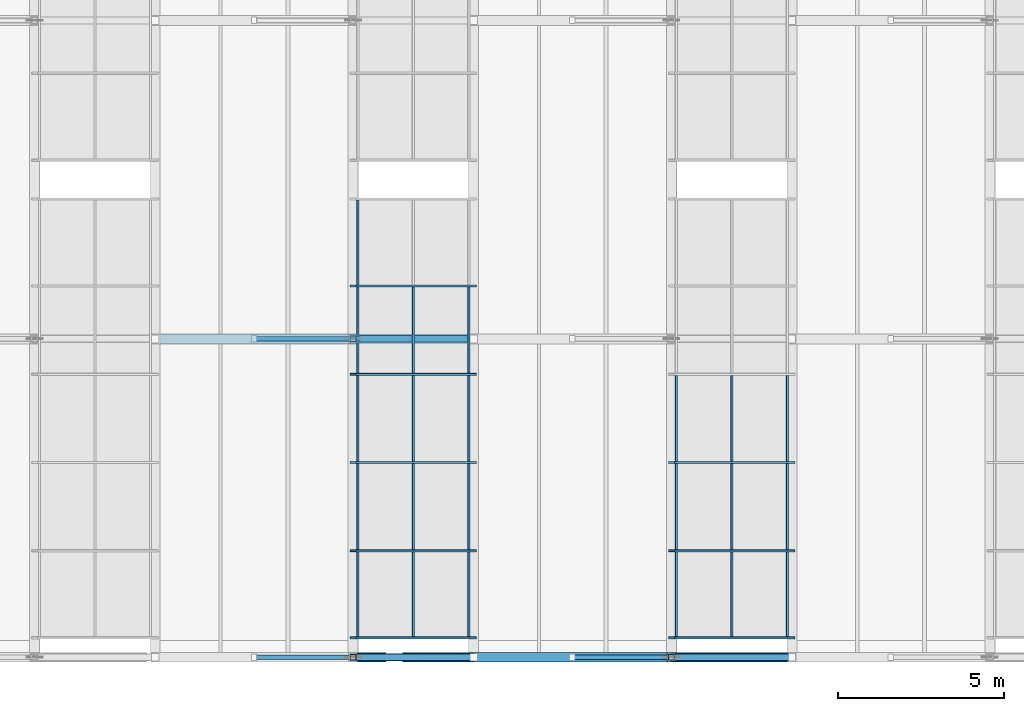
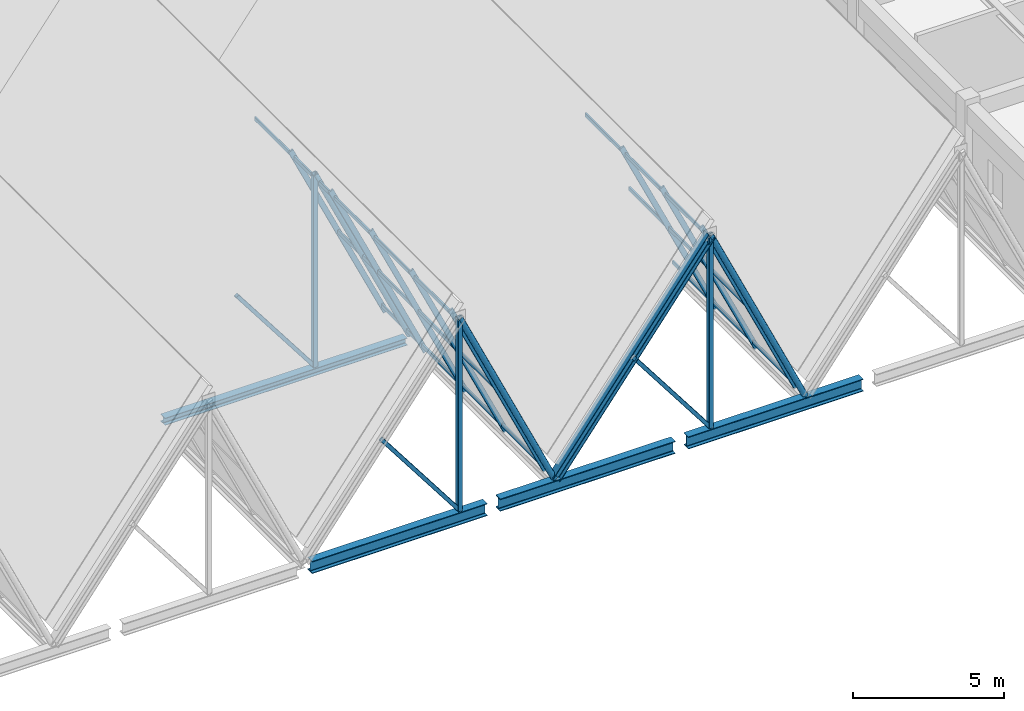
# One storey, part 16 of 99: 41 members, 3 beams, 2 elements without a shape of their own.
"""IFC4 building model written with IfcOpenShell, lengths in metres."""

from ifc_helpers import new_model, si_unit, direction, frame, origin, origin_2d, place, context, subcontext, project, spatial, hollow_rectangle, hollow_circle, i_section, extrude, material, material_profile, profile_set, type_object, element, aggregate, save


model = new_model("IFC4")

# Units and contexts
model_context = context("Model", 3, precision=1e-05, world=origin(), true_north=direction((0.0, 1.0)))
body_context = subcontext(model_context, "Body", "Model", "MODEL_VIEW")
ifc_project = project(units=[si_unit("LENGTHUNIT", "METRE"), si_unit("AREAUNIT", "SQUARE_METRE"), si_unit("VOLUMEUNIT", "CUBIC_METRE"), si_unit("PLANEANGLEUNIT", "RADIAN"), si_unit("MASSUNIT", "GRAM", prefix="KILO")], contexts=[model_context])

# Site, building, storey
site_placement = place(None, origin())
site = spatial("IfcSite", under=ifc_project, at=site_placement, CompositionType="ELEMENT")
building_placement = place(site_placement, origin())
building = spatial("IfcBuilding", under=site, at=building_placement, Name="Bramveld Media Centre", CompositionType="ELEMENT")
storey_placement = place(building_placement, frame((0.0, 0.0, 13.800048828125)))
storey = spatial("IfcBuildingStorey", under=building, at=storey_placement, Name="L03", CompositionType="ELEMENT", Elevation=13.800048828125)

# Curtain wall, members
ifc_material_1 = material(Name="Thermally broken anodized bronze aluminium unitized curtain wall with solar-control triple glazing", Category="aluminium")
curtain_wall_type = type_object("IfcCurtainWallType", Name="CW-SAW-13300x8606", PredefinedType="NOTDEFINED", material=ifc_material_1)
curtain_wall_1_placement = place(storey_placement, origin())
curtain_wall_1 = element("IfcCurtainWall", 1, at=curtain_wall_1_placement, inside=storey, type_object=curtain_wall_type, Name="V2 sawtooth north-light clerestory B4-S1", PredefinedType="NOTDEFINED")
ifc_material_2 = material(Name="Thermally broken anodized bronze aluminium EN AW-6063 T6 curtain-wall framing", Category="aluminium")
ifc_material_profile_1 = material_profile(ifc_material_2, hollow_rectangle(XDim=0.070068359375, YDim=0.199951171875, WallThickness=0.00439453125, InnerFilletRadius=0.00439453125, OuterFilletRadius=0.009033203125, at=origin_2d()), Name="AL-MULL 70x200")
ifc_profile_set_1 = profile_set([ifc_material_profile_1], Name="Thermally broken anodized bronze aluminium EN AW-6063 T6 curtain-wall framing")
member_type_1 = type_object("IfcMemberType", Name="CW-MULL-SLP", PredefinedType="MULLION", material=ifc_profile_set_1)
member_1_placement = place(storey_placement, frame((38.39990234375, 0.5849609375, -0.02001953125), z_axis=(-0.423956992265, 0.0, 0.90568232218), x_axis=(0.0, -1.0, 0.0)))
member_1 = element("IfcMember", 2, at=member_1_placement, type_object=member_type_1, Name="CW-SA-13386 sloped mullion 1", PredefinedType="MULLION", context=body_context, shape_type="SweptSolid", body=[
    extrude(hollow_rectangle(XDim=0.070068359375, YDim=0.199951171875, WallThickness=0.00439453125, InnerFilletRadius=0.00439453125, OuterFilletRadius=0.009033203125, at=origin_2d()), origin(), (0.0, 0.0, 1.0), 8.5791015625),
])
member_2_placement = place(storey_placement, frame((38.39990234375, 3.2099609375, -0.02001953125), z_axis=(-0.423956992265, 0.0, 0.90568232218), x_axis=(0.0, -1.0, 0.0)))
member_2 = element("IfcMember", 3, at=member_2_placement, type_object=member_type_1, Name="CW-SA-13386 sloped mullion 2", PredefinedType="MULLION", context=body_context, shape_type="SweptSolid", body=[
    extrude(hollow_rectangle(XDim=0.070068359375, YDim=0.199951171875, WallThickness=0.00439453125, InnerFilletRadius=0.00439453125, OuterFilletRadius=0.009033203125, at=origin_2d()), origin(), (0.0, 0.0, 1.0), 8.5791015625),
])
member_3_placement = place(storey_placement, frame((38.39990234375, 5.8701171875, -0.02001953125), z_axis=(-0.423956992265, 0.0, 0.90568232218), x_axis=(0.0, -1.0, 0.0)))
member_3 = element("IfcMember", 4, at=member_3_placement, type_object=member_type_1, Name="CW-SA-13386 sloped mullion 3", PredefinedType="MULLION", context=body_context, shape_type="SweptSolid", body=[
    extrude(hollow_rectangle(XDim=0.070068359375, YDim=0.199951171875, WallThickness=0.00439453125, InnerFilletRadius=0.00439453125, OuterFilletRadius=0.009033203125, at=origin_2d()), origin(), (0.0, 0.0, 1.0), 8.5791015625),
])
member_4_placement = place(storey_placement, frame((38.39990234375, 8.530029296875, -0.02001953125), z_axis=(-0.423956992265, 0.0, 0.90568232218), x_axis=(0.0, -1.0, 0.0)))
member_4 = element("IfcMember", 5, at=member_4_placement, type_object=member_type_1, Name="CW-SA-13386 sloped mullion 4", PredefinedType="MULLION", context=body_context, shape_type="SweptSolid", body=[
    extrude(hollow_rectangle(XDim=0.070068359375, YDim=0.199951171875, WallThickness=0.00439453125, InnerFilletRadius=0.00439453125, OuterFilletRadius=0.009033203125, at=origin_2d()), origin(), (0.0, 0.0, 1.0), 8.5791015625),
])
member_5_placement = place(storey_placement, frame((38.39990234375, 11.18994140625, -0.02001953125), z_axis=(-0.423956992265, 0.0, 0.90568232218), x_axis=(0.0, -1.0, 0.0)))
member_5 = element("IfcMember", 6, at=member_5_placement, type_object=member_type_1, Name="CW-SA-13386 sloped mullion 5", PredefinedType="MULLION", context=body_context, shape_type="SweptSolid", body=[
    extrude(hollow_rectangle(XDim=0.070068359375, YDim=0.199951171875, WallThickness=0.00439453125, InnerFilletRadius=0.00439453125, OuterFilletRadius=0.009033203125, at=origin_2d()), origin(), (0.0, 0.0, 1.0), 8.5791015625),
])

curtain_wall_2_placement = place(storey_placement, origin())
curtain_wall_2 = element("IfcCurtainWall", 7, at=curtain_wall_2_placement, inside=storey, type_object=curtain_wall_type, Name="V2 sawtooth north-light clerestory B5-S1", PredefinedType="NOTDEFINED")
member_6_placement = place(storey_placement, frame((48.0, 0.5849609375, -0.02001953125), z_axis=(-0.423956992265, 0.0, 0.90568232218), x_axis=(0.0, -1.0, 0.0)))
member_6 = element("IfcMember", 8, at=member_6_placement, type_object=member_type_1, Name="CW-SA-13386 sloped mullion 1", PredefinedType="MULLION", context=body_context, shape_type="SweptSolid", body=[
    extrude(hollow_rectangle(XDim=0.070068359375, YDim=0.199951171875, WallThickness=0.00439453125, InnerFilletRadius=0.00439453125, OuterFilletRadius=0.009033203125, at=origin_2d()), origin(), (0.0, 0.0, 1.0), 8.5791015625),
])
member_7_placement = place(storey_placement, frame((48.0, 3.2099609375, -0.02001953125), z_axis=(-0.423956992265, 0.0, 0.90568232218), x_axis=(0.0, -1.0, 0.0)))
member_7 = element("IfcMember", 9, at=member_7_placement, type_object=member_type_1, Name="CW-SA-13386 sloped mullion 2", PredefinedType="MULLION", context=body_context, shape_type="SweptSolid", body=[
    extrude(hollow_rectangle(XDim=0.070068359375, YDim=0.199951171875, WallThickness=0.00439453125, InnerFilletRadius=0.00439453125, OuterFilletRadius=0.009033203125, at=origin_2d()), origin(), (0.0, 0.0, 1.0), 8.5791015625),
])
member_8_placement = place(storey_placement, frame((48.0, 5.8701171875, -0.02001953125), z_axis=(-0.423956992265, 0.0, 0.90568232218), x_axis=(0.0, -1.0, 0.0)))
member_8 = element("IfcMember", 10, at=member_8_placement, type_object=member_type_1, Name="CW-SA-13386 sloped mullion 3", PredefinedType="MULLION", context=body_context, shape_type="SweptSolid", body=[
    extrude(hollow_rectangle(XDim=0.070068359375, YDim=0.199951171875, WallThickness=0.00439453125, InnerFilletRadius=0.00439453125, OuterFilletRadius=0.009033203125, at=origin_2d()), origin(), (0.0, 0.0, 1.0), 8.5791015625),
])

# Member
ifc_material_3 = material(Name="Thermally broken anodized bronze aluminium EN AW-6063 T6 curtain-wall framing", Category="aluminium")
ifc_material_profile_2 = material_profile(ifc_material_3, hollow_rectangle(XDim=0.070068359375, YDim=0.14990234375, WallThickness=0.00390625, InnerFilletRadius=0.00390625, OuterFilletRadius=0.008056640625, at=origin_2d()), Name="AL-TRAN 70x150")
ifc_profile_set_2 = profile_set([ifc_material_profile_2], Name="Thermally broken anodized bronze aluminium EN AW-6063 T6 curtain-wall framing")
member_type_2 = type_object("IfcMemberType", Name="CW-TRAN-SLP", PredefinedType="USERDEFINED", material=ifc_profile_set_2)
member_9_placement = place(storey_placement, frame((38.25439453125, 0.6201171875, 0.290771484375), z_axis=(0.0, 1.0, 0.0), x_axis=(-1.0, 0.0, 0.0)))
member_9 = element("IfcMember", 11, at=member_9_placement, type_object=member_type_2, Name="CW-SA-13386 transom 1.1", ObjectType="TRANSOM", PredefinedType="USERDEFINED", context=body_context, shape_type="SweptSolid", body=[
    extrude(hollow_rectangle(XDim=0.070068359375, YDim=0.14990234375, WallThickness=0.00390625, InnerFilletRadius=0.00390625, OuterFilletRadius=0.008056640625, at=origin_2d()), origin(), (0.0, 0.0, 1.0), 2.554931640625),
])

member_10_placement = place(storey_placement, frame((36.581298828125, 0.6201171875, 3.864990234375), z_axis=(0.0, 1.0, 0.0), x_axis=(-1.0, 0.0, 0.0)))
member_10 = element("IfcMember", 12, at=member_10_placement, type_object=member_type_2, Name="CW-SA-13386 transom 1.2", ObjectType="TRANSOM", PredefinedType="USERDEFINED", context=body_context, shape_type="SweptSolid", body=[
    extrude(hollow_rectangle(XDim=0.070068359375, YDim=0.14990234375, WallThickness=0.00390625, InnerFilletRadius=0.00390625, OuterFilletRadius=0.008056640625, at=origin_2d()), origin(), (0.0, 0.0, 1.0), 2.554931640625),
])

member_11_placement = place(storey_placement, frame((34.908203125, 0.6201171875, 7.439208984375), z_axis=(0.0, 1.0, 0.0), x_axis=(-1.0, 0.0, 0.0)))
member_11 = element("IfcMember", 13, at=member_11_placement, type_object=member_type_2, Name="CW-SA-13386 transom 1.3", ObjectType="TRANSOM", PredefinedType="USERDEFINED", context=body_context, shape_type="SweptSolid", body=[
    extrude(hollow_rectangle(XDim=0.070068359375, YDim=0.14990234375, WallThickness=0.00390625, InnerFilletRadius=0.00390625, OuterFilletRadius=0.008056640625, at=origin_2d()), origin(), (0.0, 0.0, 1.0), 2.554931640625),
])

member_12_placement = place(storey_placement, frame((38.25439453125, 3.2451171875, 0.290771484375), z_axis=(0.0, 1.0, 0.0), x_axis=(-1.0, 0.0, 0.0)))
member_12 = element("IfcMember", 14, at=member_12_placement, type_object=member_type_2, Name="CW-SA-13386 transom 2.1", ObjectType="TRANSOM", PredefinedType="USERDEFINED", context=body_context, shape_type="SweptSolid", body=[
    extrude(hollow_rectangle(XDim=0.070068359375, YDim=0.14990234375, WallThickness=0.00390625, InnerFilletRadius=0.00390625, OuterFilletRadius=0.008056640625, at=origin_2d()), origin(), (0.0, 0.0, 1.0), 2.58984375),
])

member_13_placement = place(storey_placement, frame((36.581298828125, 3.2451171875, 3.864990234375), z_axis=(0.0, 1.0, 0.0), x_axis=(-1.0, 0.0, 0.0)))
member_13 = element("IfcMember", 15, at=member_13_placement, type_object=member_type_2, Name="CW-SA-13386 transom 2.2", ObjectType="TRANSOM", PredefinedType="USERDEFINED", context=body_context, shape_type="SweptSolid", body=[
    extrude(hollow_rectangle(XDim=0.070068359375, YDim=0.14990234375, WallThickness=0.00390625, InnerFilletRadius=0.00390625, OuterFilletRadius=0.008056640625, at=origin_2d()), origin(), (0.0, 0.0, 1.0), 2.58984375),
])

member_14_placement = place(storey_placement, frame((34.908203125, 3.2451171875, 7.439208984375), z_axis=(0.0, 1.0, 0.0), x_axis=(-1.0, 0.0, 0.0)))
member_14 = element("IfcMember", 16, at=member_14_placement, type_object=member_type_2, Name="CW-SA-13386 transom 2.3", ObjectType="TRANSOM", PredefinedType="USERDEFINED", context=body_context, shape_type="SweptSolid", body=[
    extrude(hollow_rectangle(XDim=0.070068359375, YDim=0.14990234375, WallThickness=0.00390625, InnerFilletRadius=0.00390625, OuterFilletRadius=0.008056640625, at=origin_2d()), origin(), (0.0, 0.0, 1.0), 2.58984375),
])

member_15_placement = place(storey_placement, frame((38.25439453125, 5.905029296875, 0.290771484375), z_axis=(0.0, 1.0, 0.0), x_axis=(-1.0, 0.0, 0.0)))
member_15 = element("IfcMember", 17, at=member_15_placement, type_object=member_type_2, Name="CW-SA-13386 transom 3.1", ObjectType="TRANSOM", PredefinedType="USERDEFINED", context=body_context, shape_type="SweptSolid", body=[
    extrude(hollow_rectangle(XDim=0.070068359375, YDim=0.14990234375, WallThickness=0.00390625, InnerFilletRadius=0.00390625, OuterFilletRadius=0.008056640625, at=origin_2d()), origin(), (0.0, 0.0, 1.0), 2.590087890625),
])

member_16_placement = place(storey_placement, frame((36.581298828125, 5.905029296875, 3.864990234375), z_axis=(0.0, 1.0, 0.0), x_axis=(-1.0, 0.0, 0.0)))
member_16 = element("IfcMember", 18, at=member_16_placement, type_object=member_type_2, Name="CW-SA-13386 transom 3.2", ObjectType="TRANSOM", PredefinedType="USERDEFINED", context=body_context, shape_type="SweptSolid", body=[
    extrude(hollow_rectangle(XDim=0.070068359375, YDim=0.14990234375, WallThickness=0.00390625, InnerFilletRadius=0.00390625, OuterFilletRadius=0.008056640625, at=origin_2d()), origin(), (0.0, 0.0, 1.0), 2.590087890625),
])

member_17_placement = place(storey_placement, frame((34.908203125, 5.905029296875, 7.439208984375), z_axis=(0.0, 1.0, 0.0), x_axis=(-1.0, 0.0, 0.0)))
member_17 = element("IfcMember", 19, at=member_17_placement, type_object=member_type_2, Name="CW-SA-13386 transom 3.3", ObjectType="TRANSOM", PredefinedType="USERDEFINED", context=body_context, shape_type="SweptSolid", body=[
    extrude(hollow_rectangle(XDim=0.070068359375, YDim=0.14990234375, WallThickness=0.00390625, InnerFilletRadius=0.00390625, OuterFilletRadius=0.008056640625, at=origin_2d()), origin(), (0.0, 0.0, 1.0), 2.590087890625),
])

member_18_placement = place(storey_placement, frame((38.25439453125, 8.56494140625, 0.290771484375), z_axis=(0.0, 1.0, 0.0), x_axis=(-1.0, 0.0, 0.0)))
member_18 = element("IfcMember", 20, at=member_18_placement, type_object=member_type_2, Name="CW-SA-13386 transom 4.1", ObjectType="TRANSOM", PredefinedType="USERDEFINED", context=body_context, shape_type="SweptSolid", body=[
    extrude(hollow_rectangle(XDim=0.070068359375, YDim=0.14990234375, WallThickness=0.00390625, InnerFilletRadius=0.00390625, OuterFilletRadius=0.008056640625, at=origin_2d()), origin(), (0.0, 0.0, 1.0), 2.590087890625),
])

member_19_placement = place(storey_placement, frame((36.581298828125, 8.56494140625, 3.864990234375), z_axis=(0.0, 1.0, 0.0), x_axis=(-1.0, 0.0, 0.0)))
member_19 = element("IfcMember", 21, at=member_19_placement, type_object=member_type_2, Name="CW-SA-13386 transom 4.2", ObjectType="TRANSOM", PredefinedType="USERDEFINED", context=body_context, shape_type="SweptSolid", body=[
    extrude(hollow_rectangle(XDim=0.070068359375, YDim=0.14990234375, WallThickness=0.00390625, InnerFilletRadius=0.00390625, OuterFilletRadius=0.008056640625, at=origin_2d()), origin(), (0.0, 0.0, 1.0), 2.590087890625),
])

member_20_placement = place(storey_placement, frame((34.908203125, 8.56494140625, 7.439208984375), z_axis=(0.0, 1.0, 0.0), x_axis=(-1.0, 0.0, 0.0)))
member_20 = element("IfcMember", 22, at=member_20_placement, type_object=member_type_2, Name="CW-SA-13386 transom 4.3", ObjectType="TRANSOM", PredefinedType="USERDEFINED", context=body_context, shape_type="SweptSolid", body=[
    extrude(hollow_rectangle(XDim=0.070068359375, YDim=0.14990234375, WallThickness=0.00390625, InnerFilletRadius=0.00390625, OuterFilletRadius=0.008056640625, at=origin_2d()), origin(), (0.0, 0.0, 1.0), 2.590087890625),
])

member_21_placement = place(storey_placement, frame((34.908203125, 11.22509765625, 7.439208984375), z_axis=(0.0, 1.0, 0.0), x_axis=(-1.0, 0.0, 0.0)))
member_21 = element("IfcMember", 23, at=member_21_placement, type_object=member_type_2, Name="CW-SA-13386 transom 5.3", ObjectType="TRANSOM", PredefinedType="USERDEFINED", context=body_context, shape_type="SweptSolid", body=[
    extrude(hollow_rectangle(XDim=0.070068359375, YDim=0.14990234375, WallThickness=0.00390625, InnerFilletRadius=0.00390625, OuterFilletRadius=0.008056640625, at=origin_2d()), origin(), (0.0, 0.0, 1.0), 2.554931640625),
])

aggregate(curtain_wall_1, [member_1, member_2, member_3, member_4, member_5, member_9, member_10, member_11, member_12, member_13, member_14, member_15, member_16, member_17, member_18, member_19, member_20, member_21])

member_22_placement = place(storey_placement, frame((47.8544921875, 0.6201171875, 0.290771484375), z_axis=(0.0, 1.0, 0.0), x_axis=(-1.0, 0.0, 0.0)))
member_22 = element("IfcMember", 24, at=member_22_placement, type_object=member_type_2, Name="CW-SA-13386 transom 1.1", ObjectType="TRANSOM", PredefinedType="USERDEFINED", context=body_context, shape_type="SweptSolid", body=[
    extrude(hollow_rectangle(XDim=0.070068359375, YDim=0.14990234375, WallThickness=0.00390625, InnerFilletRadius=0.00390625, OuterFilletRadius=0.008056640625, at=origin_2d()), origin(), (0.0, 0.0, 1.0), 2.554931640625),
])

member_23_placement = place(storey_placement, frame((46.181396484375, 0.6201171875, 3.864990234375), z_axis=(0.0, 1.0, 0.0), x_axis=(-1.0, 0.0, 0.0)))
member_23 = element("IfcMember", 25, at=member_23_placement, type_object=member_type_2, Name="CW-SA-13386 transom 1.2", ObjectType="TRANSOM", PredefinedType="USERDEFINED", context=body_context, shape_type="SweptSolid", body=[
    extrude(hollow_rectangle(XDim=0.070068359375, YDim=0.14990234375, WallThickness=0.00390625, InnerFilletRadius=0.00390625, OuterFilletRadius=0.008056640625, at=origin_2d()), origin(), (0.0, 0.0, 1.0), 2.554931640625),
])

member_24_placement = place(storey_placement, frame((44.50830078125, 0.6201171875, 7.439208984375), z_axis=(0.0, 1.0, 0.0), x_axis=(-1.0, 0.0, 0.0)))
member_24 = element("IfcMember", 26, at=member_24_placement, type_object=member_type_2, Name="CW-SA-13386 transom 1.3", ObjectType="TRANSOM", PredefinedType="USERDEFINED", context=body_context, shape_type="SweptSolid", body=[
    extrude(hollow_rectangle(XDim=0.070068359375, YDim=0.14990234375, WallThickness=0.00390625, InnerFilletRadius=0.00390625, OuterFilletRadius=0.008056640625, at=origin_2d()), origin(), (0.0, 0.0, 1.0), 2.554931640625),
])

member_25_placement = place(storey_placement, frame((47.8544921875, 3.2451171875, 0.290771484375), z_axis=(0.0, 1.0, 0.0), x_axis=(-1.0, 0.0, 0.0)))
member_25 = element("IfcMember", 27, at=member_25_placement, type_object=member_type_2, Name="CW-SA-13386 transom 2.1", ObjectType="TRANSOM", PredefinedType="USERDEFINED", context=body_context, shape_type="SweptSolid", body=[
    extrude(hollow_rectangle(XDim=0.070068359375, YDim=0.14990234375, WallThickness=0.00390625, InnerFilletRadius=0.00390625, OuterFilletRadius=0.008056640625, at=origin_2d()), origin(), (0.0, 0.0, 1.0), 2.58984375),
])

member_26_placement = place(storey_placement, frame((46.181396484375, 3.2451171875, 3.864990234375), z_axis=(0.0, 1.0, 0.0), x_axis=(-1.0, 0.0, 0.0)))
member_26 = element("IfcMember", 28, at=member_26_placement, type_object=member_type_2, Name="CW-SA-13386 transom 2.2", ObjectType="TRANSOM", PredefinedType="USERDEFINED", context=body_context, shape_type="SweptSolid", body=[
    extrude(hollow_rectangle(XDim=0.070068359375, YDim=0.14990234375, WallThickness=0.00390625, InnerFilletRadius=0.00390625, OuterFilletRadius=0.008056640625, at=origin_2d()), origin(), (0.0, 0.0, 1.0), 2.58984375),
])

member_27_placement = place(storey_placement, frame((44.50830078125, 3.2451171875, 7.439208984375), z_axis=(0.0, 1.0, 0.0), x_axis=(-1.0, 0.0, 0.0)))
member_27 = element("IfcMember", 29, at=member_27_placement, type_object=member_type_2, Name="CW-SA-13386 transom 2.3", ObjectType="TRANSOM", PredefinedType="USERDEFINED", context=body_context, shape_type="SweptSolid", body=[
    extrude(hollow_rectangle(XDim=0.070068359375, YDim=0.14990234375, WallThickness=0.00390625, InnerFilletRadius=0.00390625, OuterFilletRadius=0.008056640625, at=origin_2d()), origin(), (0.0, 0.0, 1.0), 2.58984375),
])

member_28_placement = place(storey_placement, frame((47.8544921875, 5.905029296875, 0.290771484375), z_axis=(0.0, 1.0, 0.0), x_axis=(-1.0, 0.0, 0.0)))
member_28 = element("IfcMember", 30, at=member_28_placement, type_object=member_type_2, Name="CW-SA-13386 transom 3.1", ObjectType="TRANSOM", PredefinedType="USERDEFINED", context=body_context, shape_type="SweptSolid", body=[
    extrude(hollow_rectangle(XDim=0.070068359375, YDim=0.14990234375, WallThickness=0.00390625, InnerFilletRadius=0.00390625, OuterFilletRadius=0.008056640625, at=origin_2d()), origin(), (0.0, 0.0, 1.0), 2.590087890625),
])

member_29_placement = place(storey_placement, frame((46.181396484375, 5.905029296875, 3.864990234375), z_axis=(0.0, 1.0, 0.0), x_axis=(-1.0, 0.0, 0.0)))
member_29 = element("IfcMember", 31, at=member_29_placement, type_object=member_type_2, Name="CW-SA-13386 transom 3.2", ObjectType="TRANSOM", PredefinedType="USERDEFINED", context=body_context, shape_type="SweptSolid", body=[
    extrude(hollow_rectangle(XDim=0.070068359375, YDim=0.14990234375, WallThickness=0.00390625, InnerFilletRadius=0.00390625, OuterFilletRadius=0.008056640625, at=origin_2d()), origin(), (0.0, 0.0, 1.0), 2.590087890625),
])

member_30_placement = place(storey_placement, frame((44.50830078125, 5.905029296875, 7.439208984375), z_axis=(0.0, 1.0, 0.0), x_axis=(-1.0, 0.0, 0.0)))
member_30 = element("IfcMember", 32, at=member_30_placement, type_object=member_type_2, Name="CW-SA-13386 transom 3.3", ObjectType="TRANSOM", PredefinedType="USERDEFINED", context=body_context, shape_type="SweptSolid", body=[
    extrude(hollow_rectangle(XDim=0.070068359375, YDim=0.14990234375, WallThickness=0.00390625, InnerFilletRadius=0.00390625, OuterFilletRadius=0.008056640625, at=origin_2d()), origin(), (0.0, 0.0, 1.0), 2.590087890625),
])

aggregate(curtain_wall_2, [member_6, member_7, member_8, member_22, member_23, member_24, member_25, member_26, member_27, member_28, member_29, member_30])

# Members
ifc_material_4 = material(Name="Steel S355J2H", Category="steel")
ifc_material_profile_3 = material_profile(ifc_material_4, hollow_circle(Radius=0.109619140625, WallThickness=0.012451171875, at=origin_2d()), Name="CHS 219.1x12.5")
ifc_profile_set_3 = profile_set([ifc_material_profile_3], Name="Steel S355J2H")
member_type_3 = type_object("IfcMemberType", Name="MEM-BRACE-CHS219", PredefinedType="BRACE", material=ifc_profile_set_3)
for number, where, z_axis, x_axis, name in (
    (33, (38.39990234375, 0.0, 0.0), (-0.422616785161, 0.0, 0.906308475575), (0.0, -1.0, 0.0), "TRUSS-V2-B04-F1 north-light strut"),
    (34, (38.39990234375, 9.60009765625, 0.0), (-0.422616785161, 0.0, 0.906308475575), (0.0, -1.0, 0.0), "TRUSS-V2-B04-F2 north-light strut"),
    (35, (48.0, 0.0, 0.0), (-0.422616785161, 0.0, 0.906308475575), (0.0, -1.0, 0.0), "TRUSS-V2-B05-F1 north-light strut"),
):
    element("IfcMember", number, at=place(storey_placement, frame(where, z_axis=z_axis, x_axis=x_axis)), inside=storey, type_object=member_type_3, Name=name, PredefinedType="BRACE", context=body_context, shape_type="SweptSolid", body=[
        extrude(hollow_circle(Radius=0.109619140625, WallThickness=0.012451171875, at=origin_2d()), origin(), (0.0, 0.0, 1.0), 8.6064453125),
    ])
ifc_material_5 = material(Name="Steel S355J2H", Category="steel")
ifc_material_profile_4 = material_profile(ifc_material_5, hollow_rectangle(XDim=0.14990234375, YDim=0.14990234375, WallThickness=0.010009765625, InnerFilletRadius=0.010009765625, OuterFilletRadius=0.02001953125, at=origin_2d()), Name="SHS 150x150x10")
ifc_profile_set_4 = profile_set([ifc_material_profile_4], Name="Steel S355J2H")
member_type_4 = type_object("IfcMemberType", Name="MEM-BRACE-SHS150", PredefinedType="BRACE", material=ifc_profile_set_4)
for number, where, z_axis, x_axis, name in (
    (36, (34.7626953125, 0.0, 0.0), (-0.607311644479, 0.0, 0.794463697396), (0.0, -1.0, 0.0), "TRUSS-V2-B04-F1 web diagonal"),
    (37, (34.7626953125, 9.60009765625, 0.0), (-0.607311644479, 0.0, 0.794463697396), (0.0, -1.0, 0.0), "TRUSS-V2-B04-F2 web diagonal"),
    (38, (44.36279296875, 0.0, 0.0), (-0.607343034298, 0.0, 0.794439701104), (0.0, -1.0, 0.0), "TRUSS-V2-B05-F1 web diagonal"),
):
    element("IfcMember", number, at=place(storey_placement, frame(where, z_axis=z_axis, x_axis=x_axis)), inside=storey, type_object=member_type_4, Name=name, PredefinedType="BRACE", context=body_context, shape_type="SweptSolid", body=[
        extrude(hollow_rectangle(XDim=0.14990234375, YDim=0.14990234375, WallThickness=0.010009765625, InnerFilletRadius=0.010009765625, OuterFilletRadius=0.02001953125, at=origin_2d()), origin(), (0.0, 0.0, 1.0), 4.908935546875),
    ])
ifc_material_6 = material(Name="Steel S355J2", Category="steel")
ifc_material_profile_5 = material_profile(ifc_material_6, i_section(OverallWidth=0.300048828125, OverallDepth=0.2900390625, WebThickness=0.008544921875, FlangeThickness=0.013916015625, FilletRadius=0.027099609375, at=origin_2d()), Name="HEA 300")
ifc_profile_set_5 = profile_set([ifc_material_profile_5], Name="Steel S355J2")
member_type_5 = type_object("IfcMemberType", Name="MEM-CHORD-HEA300", PredefinedType="CHORD", material=ifc_profile_set_5)
member_31_placement = place(storey_placement, frame((28.9599609375, 9.60009765625, -0.14501953125), z_axis=(1.0, 0.0, 0.0), x_axis=(0.0, 1.0, 0.0)))
element("IfcMember", 39, at=member_31_placement, inside=storey, type_object=member_type_5, Name="TRUSS-V2-B04-F2 bottom tie chord", PredefinedType="CHORD", context=body_context, shape_type="SweptSolid", body=[
    extrude(i_section(OverallWidth=0.300048828125, OverallDepth=0.2900390625, WebThickness=0.008544921875, FlangeThickness=0.013916015625, FilletRadius=0.027099609375, at=origin_2d()), origin(), (0.0, 0.0, 1.0), 9.280029296875),
])
ifc_material_7 = material(Name="Steel S355J2", Category="steel")
ifc_material_profile_6 = material_profile(ifc_material_7, i_section(OverallWidth=0.300048828125, OverallDepth=0.340087890625, WebThickness=0.011962890625, FlangeThickness=0.021484375, FilletRadius=0.027099609375, at=origin_2d()), Name="HEB 340")
ifc_profile_set_6 = profile_set([ifc_material_profile_6], Name="Steel S355J2")
member_type_6 = type_object("IfcMemberType", Name="MEM-CHORD-HEB340", PredefinedType="CHORD", material=ifc_profile_set_6)
member_32_placement = place(storey_placement, frame((38.39990234375, 0.0, 0.0), z_axis=(0.607331036372, 0.0, 0.794448873282), x_axis=(0.0, 1.0, 0.0)))
element("IfcMember", 40, at=member_32_placement, inside=storey, type_object=member_type_6, Name="TRUSS-V2-B05-F1 top rafter chord", PredefinedType="CHORD", context=body_context, shape_type="SweptSolid", body=[
    extrude(i_section(OverallWidth=0.300048828125, OverallDepth=0.340087890625, WebThickness=0.011962890625, FlangeThickness=0.021484375, FilletRadius=0.027099609375, at=origin_2d()), origin(), (0.0, 0.0, 1.0), 9.818115234375),
])
ifc_material_8 = material(Name="Steel S355J2H", Category="steel")
ifc_material_profile_7 = material_profile(ifc_material_8, hollow_rectangle(XDim=0.179931640625, YDim=0.179931640625, WallThickness=0.010009765625, InnerFilletRadius=0.010009765625, OuterFilletRadius=0.02001953125, at=origin_2d()), Name="SHS 180x180x10")
ifc_profile_set_7 = profile_set([ifc_material_profile_7], Name="Steel S355J2H")
member_type_7 = type_object("IfcMemberType", Name="MEM-POST-SHS180", PredefinedType="POST", material=ifc_profile_set_7)
for number, where, z_axis, x_axis, name in (
    (41, (34.7626953125, 0.0, 0.0), (0.0, 0.0, 1.0), (1.0, 0.0, 0.0), "TRUSS-V2-B04-F1 kingpost"),
    (42, (34.7626953125, 9.60009765625, 0.0), (0.0, 0.0, 1.0), (1.0, 0.0, 0.0), "TRUSS-V2-B04-F2 kingpost"),
    (43, (44.36279296875, 0.0, 0.0), (0.0, 0.0, 1.0), (1.0, 0.0, 0.0), "TRUSS-V2-B05-F1 kingpost"),
):
    element("IfcMember", number, at=place(storey_placement, frame(where, z_axis=z_axis, x_axis=x_axis)), inside=storey, type_object=member_type_7, Name=name, PredefinedType="POST", context=body_context, shape_type="SweptSolid", body=[
        extrude(hollow_rectangle(XDim=0.179931640625, YDim=0.179931640625, WallThickness=0.010009765625, InnerFilletRadius=0.010009765625, OuterFilletRadius=0.02001953125, at=origin_2d()), origin(), (0.0, 0.0, 1.0), 7.800048828125),
    ])

# Beams
ifc_material_9 = material(Name="Steel S355J2", Category="steel")
ifc_material_profile_8 = material_profile(ifc_material_9, i_section(OverallWidth=0.300048828125, OverallDepth=0.5, WebThickness=0.014404296875, FlangeThickness=0.028076171875, FilletRadius=0.027099609375, at=origin_2d()), Name="HEB 500")
ifc_profile_set_8 = profile_set([ifc_material_profile_8], Name="Steel S355J2")
beam_type = type_object("IfcBeamType", Name="SBM-EXT-HEB-500", PredefinedType="BEAM", material=ifc_profile_set_8)
for number, where, z_axis, x_axis, name in (
    (44, (29.050048828125, 0.0, -0.25), (1.0, 0.0, 0.0), (0.0, 1.0, 0.0), "V2 sawtooth tie girder"),
    (45, (36.25, 0.0, -0.25), (1.0, 0.0, 0.0), (0.0, 1.0, 0.0), "V2 sawtooth tie girder"),
    (46, (43.449951171875, 0.0, -0.25), (1.0, 0.0, 0.0), (0.0, 1.0, 0.0), "V2 sawtooth tie girder"),
):
    element("IfcBeam", number, at=place(storey_placement, frame(where, z_axis=z_axis, x_axis=x_axis)), inside=storey, type_object=beam_type, Name=name, PredefinedType="BEAM", context=body_context, shape_type="SweptSolid", body=[
        extrude(i_section(OverallWidth=0.300048828125, OverallDepth=0.5, WebThickness=0.014404296875, FlangeThickness=0.028076171875, FilletRadius=0.027099609375, at=origin_2d()), origin(), (0.0, 0.0, 1.0), 6.699951171875),
    ])

save(model, "model.ifc")
